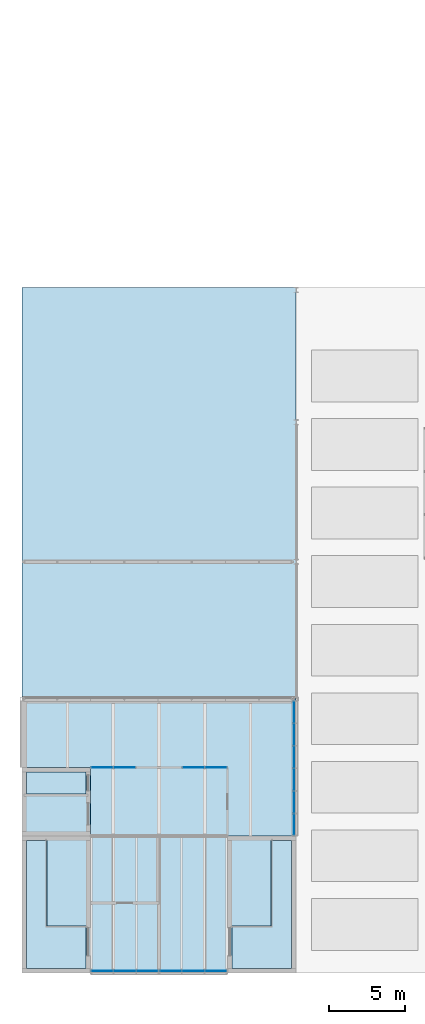
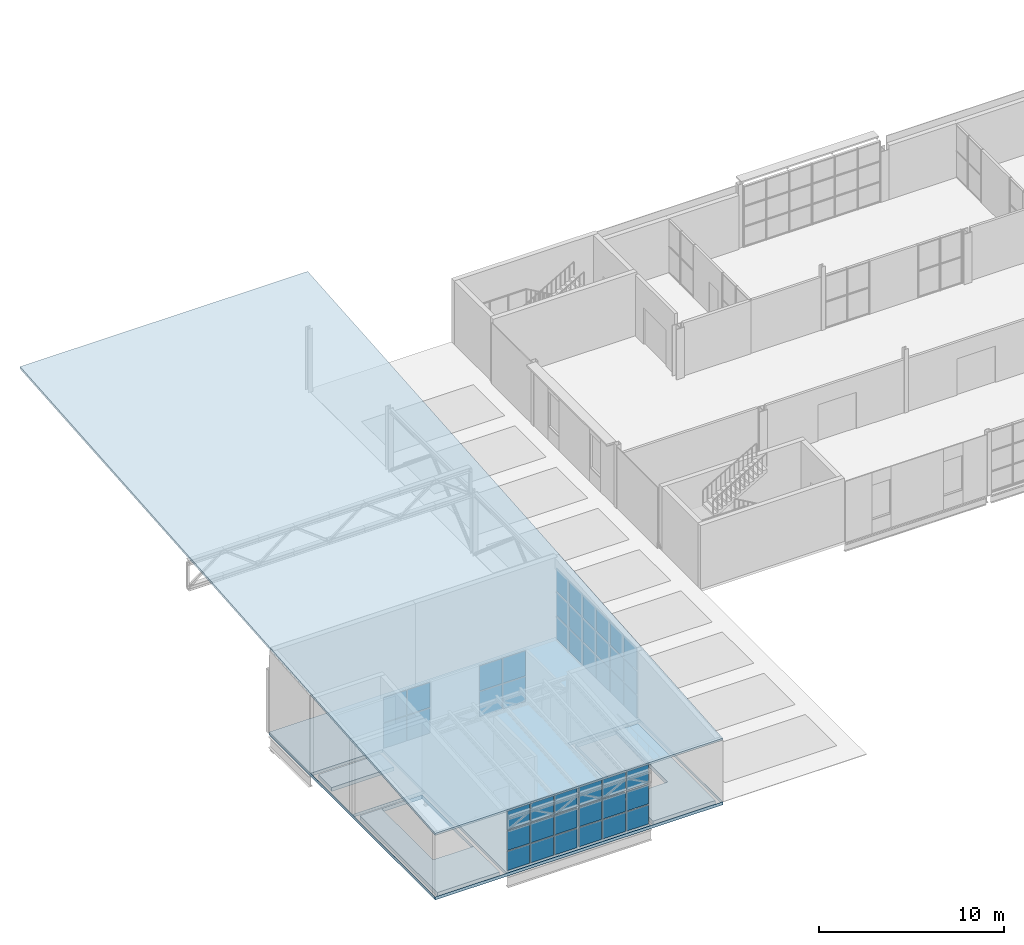
# One storey, part 34 of 61: 44 plates, 5 slabs, 5 elements without a shape of their own.
"""IFC4 building model written with IfcOpenShell, lengths in metres."""

import ifcopenshell
import ifcopenshell.guid

model = None  # the IFC model being written
_history = None  # IfcOwnerHistory: only IFC2X3 demands one
_inside = {}  # id of a spatial element -> (the spatial element, [elements in it])
_under = {}  # id of a project, library or spatial element -> (it, [spatial elements below it])
_declared = {}  # id of a project -> (the project, [libraries it declares])
_typed = {}  # id of a type object -> (the type object, [elements of that type])
_made_of = {}  # id of a material, layer set ... -> (it, [elements and type objects made of it])


def new_model(schema):
    """Start an empty IFC model of exactly this schema.

    Asked for "IFC4X3", IfcOpenShell would pick the latest addendum, in which some entities
    have other attributes; the version numbers below select the first issue.
    IFC2X3 requires an IfcOwnerHistory on every rooted entity: one is made here for all.
    """
    global model, _history
    if schema == "IFC4X3":
        model = ifcopenshell.file(schema_version=(4, 3, 0, 0))
    else:
        model = ifcopenshell.file(schema=schema)
    _inside.clear()
    _under.clear()
    _declared.clear()
    _typed.clear()
    _made_of.clear()
    _history = None
    if model.schema == "IFC2X3":
        org = make("IfcOrganization", Name="unknown")
        user = make(
            "IfcPersonAndOrganization",
            ThePerson=make("IfcPerson", FamilyName="unknown"),
            TheOrganization=org,
        )
        app = make(
            "IfcApplication",
            ApplicationDeveloper=org,
            Version="unknown",
            ApplicationFullName="unknown",
            ApplicationIdentifier="unknown",
        )
        _history = make(
            "IfcOwnerHistory",
            OwningUser=user,
            OwningApplication=app,
            ChangeAction="ADDED",
            CreationDate=0,
        )
    return model


def make(cls, **values):
    """One entity of the class cls with the attributes given. An attribute that is None is left unset."""
    return model.create_entity(
        cls, **{name: value for name, value in values.items() if value is not None}
    )


def rooted(cls, **values):
    """An entity with a GlobalId (a new one), such as an element, a storey or a relation."""
    return make(cls, GlobalId=ifcopenshell.guid.new(), OwnerHistory=_history, **values)


def si_unit(unit_type, name, prefix=None):
    """IfcSIUnit, for example si_unit("LENGTHUNIT", "METRE", prefix="MILLI")."""
    return make("IfcSIUnit", UnitType=unit_type, Prefix=prefix, Name=name)


def assignment(units):
    """IfcUnitAssignment: the units of a project."""
    return None if units is None else make("IfcUnitAssignment", Units=units)


def point(xyz):
    """IfcCartesianPoint."""
    return None if xyz is None else make("IfcCartesianPoint", Coordinates=xyz)


def direction(xyz):
    """IfcDirection."""
    return None if xyz is None else make("IfcDirection", DirectionRatios=xyz)


def frame(location, z_axis=None, x_axis=None):
    """IfcAxis2Placement3D, a coordinate frame: its origin and axes. An axis left out is left unset."""
    return make(
        "IfcAxis2Placement3D",
        Location=point(location),
        Axis=direction(z_axis),
        RefDirection=direction(x_axis),
    )


def frame_2d(location, x_axis=None):
    """IfcAxis2Placement2D, a coordinate frame in the plane: its origin and x axis."""
    return make(
        "IfcAxis2Placement2D", Location=point(location), RefDirection=direction(x_axis)
    )


def origin():
    """The frame at (0, 0, 0) with its axes left unset."""
    return frame((0.0, 0.0, 0.0))


def origin_2d():
    """The frame at (0, 0) in the plane with its x axis left unset."""
    return frame_2d((0.0, 0.0))


def place(relative_to, where):
    """IfcLocalPlacement: puts the frame where relative to a parent placement (None: the world)."""
    return make(
        "IfcLocalPlacement", PlacementRelTo=relative_to, RelativePlacement=where
    )


def context(
    kind, dimensions, precision=None, world=None, true_north=None, identifier=None
):
    """IfcGeometricRepresentationContext, for example the 3D "Model" context."""
    return make(
        "IfcGeometricRepresentationContext",
        ContextIdentifier=identifier,
        ContextType=kind,
        CoordinateSpaceDimension=dimensions,
        Precision=precision,
        WorldCoordinateSystem=world,
        TrueNorth=true_north,
    )


def subcontext(parent, identifier, kind, view, scale=None):
    """IfcGeometricRepresentationSubContext, for example "Body" below "Model"."""
    return make(
        "IfcGeometricRepresentationSubContext",
        ContextIdentifier=identifier,
        ContextType=kind,
        ParentContext=parent,
        TargetScale=scale,
        TargetView=view,
    )


def project(units=None, contexts=None):
    """IfcProject with its units and contexts."""
    return rooted(
        "IfcProject",
        Name="project",
        RepresentationContexts=contexts,
        UnitsInContext=assignment(units),
    )


def spatial(cls, under=None, at=None, **own):
    """A site, building, storey or space (cls), placed at a placement, below another one or the project."""
    s = rooted(cls, ObjectPlacement=at, **own)
    if under is not None:
        _under.setdefault(under.id(), (under, []))[1].append(s)
    return s


def polyline(points):
    """IfcPolyline through the points."""
    return make("IfcPolyline", Points=[point(p) for p in points])


def profile(cls, at=None, kind="AREA", **sizes):
    """A parametric profile (cls). Its sizes go by their IFC names, for example OverallWidth=200.0."""
    return make(cls, ProfileType=kind, Position=at, **sizes)


def rectangle(**sizes):
    """IfcRectangleProfileDef."""
    return profile("IfcRectangleProfileDef", **sizes)


def outline(outer, holes=None, kind="AREA"):
    """IfcArbitraryClosedProfileDef: a profile drawn as a closed curve; with holes, ...WithVoids."""
    if holes is None:
        return make("IfcArbitraryClosedProfileDef", ProfileType=kind, OuterCurve=outer)
    return make(
        "IfcArbitraryProfileDefWithVoids",
        ProfileType=kind,
        OuterCurve=outer,
        InnerCurves=holes,
    )


def extrude(swept, where, along, depth):
    """IfcExtrudedAreaSolid: the profile swept, set in the frame where, extruded along a direction by depth."""
    return make(
        "IfcExtrudedAreaSolid",
        SweptArea=swept,
        Position=where,
        ExtrudedDirection=direction(along),
        Depth=depth,
    )


def shape(context_of_items, identifier, shape_type, items):
    """IfcShapeRepresentation: the items that make up one representation, for example the "Body"."""
    return make(
        "IfcShapeRepresentation",
        ContextOfItems=context_of_items,
        RepresentationIdentifier=identifier,
        RepresentationType=shape_type,
        Items=items,
    )


def material(Name=None, Category=None):
    """IfcMaterial."""
    return make("IfcMaterial", Name=Name, Category=Category)


def layer(
    of_material, thickness, ventilated=None, Name=None, Category=None, Priority=None
):
    """IfcMaterialLayer: one layer of a wall or slab, of a material (None: an air gap)."""
    return make(
        "IfcMaterialLayer",
        Material=of_material,
        LayerThickness=thickness,
        IsVentilated=ventilated,
        Name=Name,
        Category=Category,
        Priority=Priority,
    )


def layer_set(layers, Name=None):
    """IfcMaterialLayerSet."""
    return make("IfcMaterialLayerSet", MaterialLayers=layers, LayerSetName=Name)


def made_of(thing, what):
    """Note that an element or type object is made of a material, layer set ...; save() writes the relation."""
    if what is not None:
        _made_of.setdefault(what.id(), (what, []))[1].append(thing)
    return thing


def type_object(cls, material=None, **own):
    """A type object (cls), such as IfcWallType, which elements share."""
    return made_of(rooted(cls, **own), material)


def element(
    cls,
    number,
    at=None,
    inside=None,
    cuts=None,
    type_object=None,
    material=None,
    context=None,
    identifier="Body",
    shape_type=None,
    held_by="IfcProductDefinitionShape",
    body=None,
    shapes=None,
    **own,
):
    """One element of the class cls, such as IfcWall. Its Tag is "e" and its number.

    at: its placement. inside: the storey or other place that contains it. cuts: it is an
    opening in that element (IfcRelVoidsElement). A single representation is given by context,
    identifier, shape_type and body (its items); several are given by shapes. held_by: the class
    of the entity that holds the representations. save() writes the other relations.
    """
    e = rooted(cls, Tag="e%d" % number, ObjectPlacement=at, **own)
    if body is not None:
        shapes = [shape(context, identifier, shape_type, body)]
    if shapes is not None:
        e.Representation = make(held_by, Representations=shapes)
    if inside is not None:
        _inside.setdefault(inside.id(), (inside, []))[1].append(e)
    if cuts is not None:
        rooted(
            "IfcRelVoidsElement", RelatingBuildingElement=cuts, RelatedOpeningElement=e
        )
    if type_object is not None:
        _typed.setdefault(type_object.id(), (type_object, []))[1].append(e)
    return made_of(e, material)


def aggregate(whole, parts):
    """IfcRelAggregates: a whole, such as a stair, and the parts it consists of."""
    return rooted("IfcRelAggregates", RelatingObject=whole, RelatedObjects=parts)


def save(model, path):
    """Write the relations noted so far, then the file.

    IfcRelAggregates (storeys below a building ...), IfcRelContainedInSpatialStructure (elements
    in a storey), IfcRelDefinesByType, IfcRelAssociatesMaterial and IfcRelDeclares: one each for
    every whole, place, type object, material and project.
    """
    for whole, parts in _under.values():
        aggregate(whole, parts)
    for where, things in _inside.values():
        rooted(
            "IfcRelContainedInSpatialStructure",
            RelatedElements=things,
            RelatingStructure=where,
        )
    for kind, things in _typed.values():
        rooted("IfcRelDefinesByType", RelatedObjects=things, RelatingType=kind)
    for what, things in _made_of.values():
        rooted("IfcRelAssociatesMaterial", RelatedObjects=things, RelatingMaterial=what)
    for by, libraries in _declared.values():
        rooted("IfcRelDeclares", RelatingContext=by, RelatedDefinitions=libraries)
    model.write(path)


model = new_model("IFC4")

# Units and contexts
model_context = context("Model", 3, precision=1e-05, world=origin(), true_north=direction((0.0, 1.0)))
body_context = subcontext(model_context, "Body", "Model", "MODEL_VIEW")
ifc_project = project(units=[si_unit("LENGTHUNIT", "METRE"), si_unit("AREAUNIT", "SQUARE_METRE"), si_unit("VOLUMEUNIT", "CUBIC_METRE"), si_unit("PLANEANGLEUNIT", "RADIAN"), si_unit("MASSUNIT", "GRAM", prefix="KILO")], contexts=[model_context])

# Site, building, storey
site_placement = place(None, origin())
site = spatial("IfcSite", under=ifc_project, at=site_placement, CompositionType="ELEMENT")
building_placement = place(site_placement, origin())
building = spatial("IfcBuilding", under=site, at=building_placement, Name="Halyard Row Museum", CompositionType="ELEMENT")
storey_placement = place(building_placement, frame((0.0, 0.0, 9.199951171875)))
storey = spatial("IfcBuildingStorey", under=building, at=storey_placement, Name="L02", CompositionType="ELEMENT", Elevation=9.199951171875)

# Slabs
ifc_material_1 = material(Name="Standing-seam roofing on insulated timber deck", Category="wood")
ifc_layer_1 = layer(ifc_material_1, 0.14990234375)
ifc_layer_set_1 = layer_set([ifc_layer_1], Name="Standing-seam roofing on insulated timber deck")
slab_type_1 = type_object("IfcSlabType", Name="Auditorium roof slab 150 standing seam", PredefinedType="ROOF", material=ifc_layer_set_1)
slab_1_placement = place(storey_placement, frame((0.0, 0.0, 4.199951171875), z_axis=(0.0, -0.079747371753, 0.996815106576), x_axis=(1.0, 0.0, 0.0)))
element("IfcSlab", 1, at=slab_1_placement, inside=storey, type_object=slab_type_1, Name="Auditorium mono-pitch roof slab", PredefinedType="ROOF", context=body_context, shape_type="SweptSolid", body=[
    extrude(outline(polyline([(0.0, 0.0), (18.0, 0.0), (18.0, 45.14377812206835), (0.0, 45.14377812206835), (0.0, 0.0)])), origin(), (0.0, 0.0, -1.0), 0.14990234375),
])
ifc_material_2 = material(Name="Concrete 40 MPa", Category="concrete")
ifc_layer_2 = layer(ifc_material_2, 0.199951171875)
ifc_layer_set_2 = layer_set([ifc_layer_2], Name="Concrete 40 MPa")
slab_type_2 = type_object("IfcSlabType", Name="Composite floor slab plant", PredefinedType="FLOOR", material=ifc_layer_set_2)
slab_2_placement = place(storey_placement, frame((0.0, 0.0, -0.199951171875)))
element("IfcSlab", 2, at=slab_2_placement, inside=storey, type_object=slab_type_2, Name="Floor slab L02-01", PredefinedType="FLOOR", context=body_context, shape_type="SweptSolid", body=[
    extrude(outline(polyline([(0.0, 18.0), (0.0, 0.0), (18.0, 0.0), (18.0, 18.0), (0.0, 18.0)]), holes=[polyline([(4.4951171875, 8.9951171875), (4.4951171875, 0.0048828125), (0.0048828125, 0.0048828125), (0.0048828125, 8.9951171875), (4.4951171875, 8.9951171875)]), polyline([(17.9951171875, 0.0048828125), (13.5048828125, 0.0048828125), (13.5048828125, 8.9951171875), (17.9951171875, 8.9951171875), (17.9951171875, 0.0048828125)]), polyline([(4.4951171875, 9.0048828125), (0.0048828125, 9.0048828125), (0.0048828125, 13.4951171875), (4.4951171875, 13.4951171875), (4.4951171875, 9.0048828125)])]), origin(), (0.0, 0.0, 1.0), 0.199951171875),
])
ifc_material_3 = material(Name="Concrete 40 MPa", Category="concrete")
ifc_layer_3 = layer(ifc_material_3, 0.25)
ifc_layer_set_3 = layer_set([ifc_layer_3], Name="Concrete 40 MPa")
slab_type_3 = type_object("IfcSlabType", Name="Core floor slab 250", PredefinedType="FLOOR", material=ifc_layer_set_3)
slab_3_placement = place(storey_placement, frame((0.0, 0.0, -0.25)))
element("IfcSlab", 3, at=slab_3_placement, inside=storey, type_object=slab_type_3, Name="Core floor K3E L02", PredefinedType="FLOOR", context=body_context, shape_type="SweptSolid", body=[
    extrude(outline(polyline([(17.699951171875, 8.699951171875), (13.800048828125, 8.699951171875), (13.800048828125, 0.300048828125), (17.699951171875, 0.300048828125), (17.699951171875, 8.699951171875)]), holes=[polyline([(16.346923828125, 8.697021484375), (16.346923828125, 3.10302734375), (13.802978515625, 3.10302734375), (13.802978515625, 8.697021484375), (16.346923828125, 8.697021484375)])]), origin(), (0.0, 0.0, 1.0), 0.25),
])
slab_4_placement = place(storey_placement, frame((0.0, 0.0, -0.25)))
element("IfcSlab", 4, at=slab_4_placement, inside=storey, type_object=slab_type_3, Name="Core floor K3S L02", PredefinedType="FLOOR", context=body_context, shape_type="SweptSolid", body=[
    extrude(outline(polyline([(4.199951171875, 8.699951171875), (0.300048828125, 8.699951171875), (0.300048828125, 0.300048828125), (4.199951171875, 0.300048828125), (4.199951171875, 8.699951171875)]), holes=[polyline([(1.653076171875, 8.697021484375), (4.197021484375, 8.697021484375), (4.197021484375, 3.10302734375), (1.653076171875, 3.10302734375), (1.653076171875, 8.697021484375)])]), origin(), (0.0, 0.0, 1.0), 0.25),
])
slab_5_placement = place(storey_placement, frame((0.0, 0.0, -0.25)))
element("IfcSlab", 5, at=slab_5_placement, inside=storey, type_object=slab_type_3, Name="Core floor K6 L02", PredefinedType="FLOOR", context=body_context, shape_type="SweptSolid", body=[
    extrude(outline(polyline([(4.199951171875, 13.199951171875), (0.300048828125, 13.199951171875), (0.300048828125, 11.75), (4.199951171875, 11.75), (4.199951171875, 13.199951171875)])), origin(), (0.0, 0.0, 1.0), 0.25),
])

# Curtain wall, plates
ifc_material_4 = material(Name="Acoustic laminated double glazed unit", Category="glass")
ifc_layer_4 = layer(ifc_material_4, 0.239990234375)
ifc_layer_set_4 = layer_set([ifc_layer_4], Name="Acoustic laminated double glazed unit")
curtain_wall_type_1 = type_object("IfcCurtainWallType", Name="Curtain wall foyer 240 deep", PredefinedType="NOTDEFINED", material=ifc_layer_set_4)
curtain_wall_1_placement = place(storey_placement, origin())
curtain_wall_1 = element("IfcCurtainWall", 6, at=curtain_wall_1_placement, inside=storey, type_object=curtain_wall_type_1, Name="Curtain wall CW041", PredefinedType="NOTDEFINED")
ifc_material_5 = material(Name="Acoustic laminated double glazed unit", Category="glass")
ifc_layer_5 = layer(ifc_material_5, 0.0439453125)
ifc_layer_set_5 = layer_set([ifc_layer_5], Name="Acoustic laminated double glazed unit")
plate_type_1 = type_object("IfcPlateType", Name="Curtain wall glazed panel CP4 44", PredefinedType="CURTAIN_PANEL", material=ifc_layer_set_5)
plate_1_placement = place(storey_placement, frame((5.267578125, 0.139892578125, 0.06982421875), z_axis=(0.0, 0.0, 1.0), x_axis=(1.0, 0.0, 0.0)))
plate_1 = element("IfcPlate", 7, at=plate_1_placement, type_object=plate_type_1, Name="CW041 panel 1.1", PredefinedType="CURTAIN_PANEL", context=body_context, shape_type="SweptSolid", body=[
    extrude(rectangle(XDim=1.39501953125, YDim=0.0439453125, at=origin_2d()), origin(), (0.0, 0.0, 1.0), 1.258056640625),
])
plate_2_placement = place(storey_placement, frame((5.267578125, 0.139892578125, 1.398193359375), z_axis=(0.0, 0.0, 1.0), x_axis=(1.0, 0.0, 0.0)))
plate_2 = element("IfcPlate", 8, at=plate_2_placement, type_object=plate_type_1, Name="CW041 panel 1.2", PredefinedType="CURTAIN_PANEL", context=body_context, shape_type="SweptSolid", body=[
    extrude(rectangle(XDim=1.39501953125, YDim=0.0439453125, at=origin_2d()), origin(), (0.0, 0.0, 1.0), 1.29296875),
])
plate_3_placement = place(storey_placement, frame((5.267578125, 0.139892578125, 2.76123046875), z_axis=(0.0, 0.0, 1.0), x_axis=(1.0, 0.0, 0.0)))
plate_3 = element("IfcPlate", 9, at=plate_3_placement, type_object=plate_type_1, Name="CW041 panel 1.3", PredefinedType="CURTAIN_PANEL", context=body_context, shape_type="SweptSolid", body=[
    extrude(rectangle(XDim=1.39501953125, YDim=0.0439453125, at=origin_2d()), origin(), (0.0, 0.0, 1.0), 1.258056640625),
])
plate_4_placement = place(storey_placement, frame((6.75, 0.139892578125, 0.06982421875), z_axis=(0.0, 0.0, 1.0), x_axis=(1.0, 0.0, 0.0)))
plate_4 = element("IfcPlate", 10, at=plate_4_placement, type_object=plate_type_1, Name="CW041 panel 2.1", PredefinedType="CURTAIN_PANEL", context=body_context, shape_type="SweptSolid", body=[
    extrude(rectangle(XDim=1.429931640625, YDim=0.0439453125, at=origin_2d()), origin(), (0.0, 0.0, 1.0), 1.258056640625),
])
plate_5_placement = place(storey_placement, frame((6.75, 0.139892578125, 1.398193359375), z_axis=(0.0, 0.0, 1.0), x_axis=(1.0, 0.0, 0.0)))
plate_5 = element("IfcPlate", 11, at=plate_5_placement, type_object=plate_type_1, Name="CW041 panel 2.2", PredefinedType="CURTAIN_PANEL", context=body_context, shape_type="SweptSolid", body=[
    extrude(rectangle(XDim=1.429931640625, YDim=0.0439453125, at=origin_2d()), origin(), (0.0, 0.0, 1.0), 1.29296875),
])
plate_6_placement = place(storey_placement, frame((6.75, 0.139892578125, 2.76123046875), z_axis=(0.0, 0.0, 1.0), x_axis=(1.0, 0.0, 0.0)))
plate_6 = element("IfcPlate", 12, at=plate_6_placement, type_object=plate_type_1, Name="CW041 panel 2.3", PredefinedType="CURTAIN_PANEL", context=body_context, shape_type="SweptSolid", body=[
    extrude(rectangle(XDim=1.429931640625, YDim=0.0439453125, at=origin_2d()), origin(), (0.0, 0.0, 1.0), 1.258056640625),
])
plate_7_placement = place(storey_placement, frame((8.232421875, 0.139892578125, 0.06982421875), z_axis=(0.0, 0.0, 1.0), x_axis=(1.0, 0.0, 0.0)))
plate_7 = element("IfcPlate", 13, at=plate_7_placement, type_object=plate_type_1, Name="CW041 panel 3.1", PredefinedType="CURTAIN_PANEL", context=body_context, shape_type="SweptSolid", body=[
    extrude(rectangle(XDim=1.39501953125, YDim=0.0439453125, at=origin_2d()), origin(), (0.0, 0.0, 1.0), 1.258056640625),
])
plate_8_placement = place(storey_placement, frame((8.232421875, 0.139892578125, 1.398193359375), z_axis=(0.0, 0.0, 1.0), x_axis=(1.0, 0.0, 0.0)))
plate_8 = element("IfcPlate", 14, at=plate_8_placement, type_object=plate_type_1, Name="CW041 panel 3.2", PredefinedType="CURTAIN_PANEL", context=body_context, shape_type="SweptSolid", body=[
    extrude(rectangle(XDim=1.39501953125, YDim=0.0439453125, at=origin_2d()), origin(), (0.0, 0.0, 1.0), 1.29296875),
])
plate_9_placement = place(storey_placement, frame((8.232421875, 0.139892578125, 2.76123046875), z_axis=(0.0, 0.0, 1.0), x_axis=(1.0, 0.0, 0.0)))
plate_9 = element("IfcPlate", 15, at=plate_9_placement, type_object=plate_type_1, Name="CW041 panel 3.3", PredefinedType="CURTAIN_PANEL", context=body_context, shape_type="SweptSolid", body=[
    extrude(rectangle(XDim=1.39501953125, YDim=0.0439453125, at=origin_2d()), origin(), (0.0, 0.0, 1.0), 1.258056640625),
])
aggregate(curtain_wall_1, [plate_1, plate_2, plate_3, plate_4, plate_5, plate_6, plate_7, plate_8, plate_9])

curtain_wall_2_placement = place(storey_placement, origin())
curtain_wall_2 = element("IfcCurtainWall", 16, at=curtain_wall_2_placement, inside=storey, type_object=curtain_wall_type_1, Name="Curtain wall CW042", PredefinedType="NOTDEFINED")
plate_10_placement = place(storey_placement, frame((9.767578125, 0.139892578125, 0.06982421875), z_axis=(0.0, 0.0, 1.0), x_axis=(1.0, 0.0, 0.0)))
plate_10 = element("IfcPlate", 17, at=plate_10_placement, type_object=plate_type_1, Name="CW042 panel 1.1", PredefinedType="CURTAIN_PANEL", context=body_context, shape_type="SweptSolid", body=[
    extrude(rectangle(XDim=1.39501953125, YDim=0.0439453125, at=origin_2d()), origin(), (0.0, 0.0, 1.0), 1.258056640625),
])
plate_11_placement = place(storey_placement, frame((9.767578125, 0.139892578125, 1.398193359375), z_axis=(0.0, 0.0, 1.0), x_axis=(1.0, 0.0, 0.0)))
plate_11 = element("IfcPlate", 18, at=plate_11_placement, type_object=plate_type_1, Name="CW042 panel 1.2", PredefinedType="CURTAIN_PANEL", context=body_context, shape_type="SweptSolid", body=[
    extrude(rectangle(XDim=1.39501953125, YDim=0.0439453125, at=origin_2d()), origin(), (0.0, 0.0, 1.0), 1.29296875),
])
plate_12_placement = place(storey_placement, frame((9.767578125, 0.139892578125, 2.76123046875), z_axis=(0.0, 0.0, 1.0), x_axis=(1.0, 0.0, 0.0)))
plate_12 = element("IfcPlate", 19, at=plate_12_placement, type_object=plate_type_1, Name="CW042 panel 1.3", PredefinedType="CURTAIN_PANEL", context=body_context, shape_type="SweptSolid", body=[
    extrude(rectangle(XDim=1.39501953125, YDim=0.0439453125, at=origin_2d()), origin(), (0.0, 0.0, 1.0), 1.258056640625),
])
plate_13_placement = place(storey_placement, frame((11.25, 0.139892578125, 0.06982421875), z_axis=(0.0, 0.0, 1.0), x_axis=(1.0, 0.0, 0.0)))
plate_13 = element("IfcPlate", 20, at=plate_13_placement, type_object=plate_type_1, Name="CW042 panel 2.1", PredefinedType="CURTAIN_PANEL", context=body_context, shape_type="SweptSolid", body=[
    extrude(rectangle(XDim=1.429931640625, YDim=0.0439453125, at=origin_2d()), origin(), (0.0, 0.0, 1.0), 1.258056640625),
])
plate_14_placement = place(storey_placement, frame((11.25, 0.139892578125, 1.398193359375), z_axis=(0.0, 0.0, 1.0), x_axis=(1.0, 0.0, 0.0)))
plate_14 = element("IfcPlate", 21, at=plate_14_placement, type_object=plate_type_1, Name="CW042 panel 2.2", PredefinedType="CURTAIN_PANEL", context=body_context, shape_type="SweptSolid", body=[
    extrude(rectangle(XDim=1.429931640625, YDim=0.0439453125, at=origin_2d()), origin(), (0.0, 0.0, 1.0), 1.29296875),
])
plate_15_placement = place(storey_placement, frame((11.25, 0.139892578125, 2.76123046875), z_axis=(0.0, 0.0, 1.0), x_axis=(1.0, 0.0, 0.0)))
plate_15 = element("IfcPlate", 22, at=plate_15_placement, type_object=plate_type_1, Name="CW042 panel 2.3", PredefinedType="CURTAIN_PANEL", context=body_context, shape_type="SweptSolid", body=[
    extrude(rectangle(XDim=1.429931640625, YDim=0.0439453125, at=origin_2d()), origin(), (0.0, 0.0, 1.0), 1.258056640625),
])
plate_16_placement = place(storey_placement, frame((12.732421875, 0.139892578125, 0.06982421875), z_axis=(0.0, 0.0, 1.0), x_axis=(1.0, 0.0, 0.0)))
plate_16 = element("IfcPlate", 23, at=plate_16_placement, type_object=plate_type_1, Name="CW042 panel 3.1", PredefinedType="CURTAIN_PANEL", context=body_context, shape_type="SweptSolid", body=[
    extrude(rectangle(XDim=1.39501953125, YDim=0.0439453125, at=origin_2d()), origin(), (0.0, 0.0, 1.0), 1.258056640625),
])
plate_17_placement = place(storey_placement, frame((12.732421875, 0.139892578125, 1.398193359375), z_axis=(0.0, 0.0, 1.0), x_axis=(1.0, 0.0, 0.0)))
plate_17 = element("IfcPlate", 24, at=plate_17_placement, type_object=plate_type_1, Name="CW042 panel 3.2", PredefinedType="CURTAIN_PANEL", context=body_context, shape_type="SweptSolid", body=[
    extrude(rectangle(XDim=1.39501953125, YDim=0.0439453125, at=origin_2d()), origin(), (0.0, 0.0, 1.0), 1.29296875),
])
plate_18_placement = place(storey_placement, frame((12.732421875, 0.139892578125, 2.76123046875), z_axis=(0.0, 0.0, 1.0), x_axis=(1.0, 0.0, 0.0)))
plate_18 = element("IfcPlate", 25, at=plate_18_placement, type_object=plate_type_1, Name="CW042 panel 3.3", PredefinedType="CURTAIN_PANEL", context=body_context, shape_type="SweptSolid", body=[
    extrude(rectangle(XDim=1.39501953125, YDim=0.0439453125, at=origin_2d()), origin(), (0.0, 0.0, 1.0), 1.258056640625),
])
aggregate(curtain_wall_2, [plate_10, plate_11, plate_12, plate_13, plate_14, plate_15, plate_16, plate_17, plate_18])

curtain_wall_3_placement = place(storey_placement, origin())
curtain_wall_3 = element("IfcCurtainWall", 26, at=curtain_wall_3_placement, inside=storey, type_object=curtain_wall_type_1, Name="Curtain wall CW043", PredefinedType="NOTDEFINED")
plate_19_placement = place(storey_placement, frame((17.860107421875, 9.757080078125, 0.070068359375), z_axis=(0.0, 0.0, 1.0), x_axis=(0.0, 1.0, 0.0)))
plate_19 = element("IfcPlate", 27, at=plate_19_placement, type_object=plate_type_1, Name="CW043 panel 1.1", PredefinedType="CURTAIN_PANEL", context=body_context, shape_type="SweptSolid", body=[
    extrude(rectangle(XDim=1.374267578125, YDim=0.0439453125, at=origin_2d()), origin(), (0.0, 0.0, 1.0), 1.4951171875),
])
plate_20_placement = place(storey_placement, frame((17.860107421875, 9.757080078125, 1.63525390625), z_axis=(0.0, 0.0, 1.0), x_axis=(0.0, 1.0, 0.0)))
plate_20 = element("IfcPlate", 28, at=plate_20_placement, type_object=plate_type_1, Name="CW043 panel 1.2", PredefinedType="CURTAIN_PANEL", context=body_context, shape_type="SweptSolid", body=[
    extrude(rectangle(XDim=1.374267578125, YDim=0.0439453125, at=origin_2d()), origin(), (0.0, 0.0, 1.0), 1.530029296875),
])
plate_21_placement = place(storey_placement, frame((17.860107421875, 9.757080078125, 3.235107421875), z_axis=(0.0, 0.0, 1.0), x_axis=(0.0, 1.0, 0.0)))
plate_21 = element("IfcPlate", 29, at=plate_21_placement, type_object=plate_type_1, Name="CW043 panel 1.3", PredefinedType="CURTAIN_PANEL", context=body_context, shape_type="SweptSolid", body=[
    extrude(rectangle(XDim=1.374267578125, YDim=0.0439453125, at=origin_2d()), origin(), (0.0, 0.0, 1.0), 1.4951171875),
])
plate_22_placement = place(storey_placement, frame((17.860107421875, 11.21875, 0.070068359375), z_axis=(0.0, 0.0, 1.0), x_axis=(0.0, 1.0, 0.0)))
plate_22 = element("IfcPlate", 30, at=plate_22_placement, type_object=plate_type_1, Name="CW043 panel 2.1", PredefinedType="CURTAIN_PANEL", context=body_context, shape_type="SweptSolid", body=[
    extrude(rectangle(XDim=1.4091796875, YDim=0.0439453125, at=origin_2d()), origin(), (0.0, 0.0, 1.0), 1.4951171875),
])
plate_23_placement = place(storey_placement, frame((17.860107421875, 11.21875, 1.63525390625), z_axis=(0.0, 0.0, 1.0), x_axis=(0.0, 1.0, 0.0)))
plate_23 = element("IfcPlate", 31, at=plate_23_placement, type_object=plate_type_1, Name="CW043 panel 2.2", PredefinedType="CURTAIN_PANEL", context=body_context, shape_type="SweptSolid", body=[
    extrude(rectangle(XDim=1.4091796875, YDim=0.0439453125, at=origin_2d()), origin(), (0.0, 0.0, 1.0), 1.530029296875),
])
plate_24_placement = place(storey_placement, frame((17.860107421875, 11.21875, 3.235107421875), z_axis=(0.0, 0.0, 1.0), x_axis=(0.0, 1.0, 0.0)))
plate_24 = element("IfcPlate", 32, at=plate_24_placement, type_object=plate_type_1, Name="CW043 panel 2.3", PredefinedType="CURTAIN_PANEL", context=body_context, shape_type="SweptSolid", body=[
    extrude(rectangle(XDim=1.4091796875, YDim=0.0439453125, at=origin_2d()), origin(), (0.0, 0.0, 1.0), 1.4951171875),
])
plate_25_placement = place(storey_placement, frame((17.860107421875, 12.697998046875, 0.070068359375), z_axis=(0.0, 0.0, 1.0), x_axis=(0.0, 1.0, 0.0)))
plate_25 = element("IfcPlate", 33, at=plate_25_placement, type_object=plate_type_1, Name="CW043 panel 3.1", PredefinedType="CURTAIN_PANEL", context=body_context, shape_type="SweptSolid", body=[
    extrude(rectangle(XDim=1.4091796875, YDim=0.0439453125, at=origin_2d()), origin(), (0.0, 0.0, 1.0), 1.4951171875),
])
plate_26_placement = place(storey_placement, frame((17.860107421875, 12.697998046875, 1.63525390625), z_axis=(0.0, 0.0, 1.0), x_axis=(0.0, 1.0, 0.0)))
plate_26 = element("IfcPlate", 34, at=plate_26_placement, type_object=plate_type_1, Name="CW043 panel 3.2", PredefinedType="CURTAIN_PANEL", context=body_context, shape_type="SweptSolid", body=[
    extrude(rectangle(XDim=1.4091796875, YDim=0.0439453125, at=origin_2d()), origin(), (0.0, 0.0, 1.0), 1.530029296875),
])
plate_27_placement = place(storey_placement, frame((17.860107421875, 12.697998046875, 3.235107421875), z_axis=(0.0, 0.0, 1.0), x_axis=(0.0, 1.0, 0.0)))
plate_27 = element("IfcPlate", 35, at=plate_27_placement, type_object=plate_type_1, Name="CW043 panel 3.3", PredefinedType="CURTAIN_PANEL", context=body_context, shape_type="SweptSolid", body=[
    extrude(rectangle(XDim=1.4091796875, YDim=0.0439453125, at=origin_2d()), origin(), (0.0, 0.0, 1.0), 1.4951171875),
])
plate_28_placement = place(storey_placement, frame((17.860107421875, 14.177001953125, 0.070068359375), z_axis=(0.0, 0.0, 1.0), x_axis=(0.0, 1.0, 0.0)))
plate_28 = element("IfcPlate", 36, at=plate_28_placement, type_object=plate_type_1, Name="CW043 panel 4.1", PredefinedType="CURTAIN_PANEL", context=body_context, shape_type="SweptSolid", body=[
    extrude(rectangle(XDim=1.4091796875, YDim=0.0439453125, at=origin_2d()), origin(), (0.0, 0.0, 1.0), 1.4951171875),
])
plate_29_placement = place(storey_placement, frame((17.860107421875, 14.177001953125, 1.63525390625), z_axis=(0.0, 0.0, 1.0), x_axis=(0.0, 1.0, 0.0)))
plate_29 = element("IfcPlate", 37, at=plate_29_placement, type_object=plate_type_1, Name="CW043 panel 4.2", PredefinedType="CURTAIN_PANEL", context=body_context, shape_type="SweptSolid", body=[
    extrude(rectangle(XDim=1.4091796875, YDim=0.0439453125, at=origin_2d()), origin(), (0.0, 0.0, 1.0), 1.530029296875),
])
plate_30_placement = place(storey_placement, frame((17.860107421875, 14.177001953125, 3.235107421875), z_axis=(0.0, 0.0, 1.0), x_axis=(0.0, 1.0, 0.0)))
plate_30 = element("IfcPlate", 38, at=plate_30_placement, type_object=plate_type_1, Name="CW043 panel 4.3", PredefinedType="CURTAIN_PANEL", context=body_context, shape_type="SweptSolid", body=[
    extrude(rectangle(XDim=1.4091796875, YDim=0.0439453125, at=origin_2d()), origin(), (0.0, 0.0, 1.0), 1.4951171875),
])
plate_31_placement = place(storey_placement, frame((17.860107421875, 15.65625, 0.070068359375), z_axis=(0.0, 0.0, 1.0), x_axis=(0.0, 1.0, 0.0)))
plate_31 = element("IfcPlate", 39, at=plate_31_placement, type_object=plate_type_1, Name="CW043 panel 5.1", PredefinedType="CURTAIN_PANEL", context=body_context, shape_type="SweptSolid", body=[
    extrude(rectangle(XDim=1.4091796875, YDim=0.0439453125, at=origin_2d()), origin(), (0.0, 0.0, 1.0), 1.4951171875),
])
plate_32_placement = place(storey_placement, frame((17.860107421875, 15.65625, 1.63525390625), z_axis=(0.0, 0.0, 1.0), x_axis=(0.0, 1.0, 0.0)))
plate_32 = element("IfcPlate", 40, at=plate_32_placement, type_object=plate_type_1, Name="CW043 panel 5.2", PredefinedType="CURTAIN_PANEL", context=body_context, shape_type="SweptSolid", body=[
    extrude(rectangle(XDim=1.4091796875, YDim=0.0439453125, at=origin_2d()), origin(), (0.0, 0.0, 1.0), 1.530029296875),
])
plate_33_placement = place(storey_placement, frame((17.860107421875, 15.65625, 3.235107421875), z_axis=(0.0, 0.0, 1.0), x_axis=(0.0, 1.0, 0.0)))
plate_33 = element("IfcPlate", 41, at=plate_33_placement, type_object=plate_type_1, Name="CW043 panel 5.3", PredefinedType="CURTAIN_PANEL", context=body_context, shape_type="SweptSolid", body=[
    extrude(rectangle(XDim=1.4091796875, YDim=0.0439453125, at=origin_2d()), origin(), (0.0, 0.0, 1.0), 1.4951171875),
])
plate_34_placement = place(storey_placement, frame((17.860107421875, 17.117919921875, 0.070068359375), z_axis=(0.0, 0.0, 1.0), x_axis=(0.0, 1.0, 0.0)))
plate_34 = element("IfcPlate", 42, at=plate_34_placement, type_object=plate_type_1, Name="CW043 panel 6.1", PredefinedType="CURTAIN_PANEL", context=body_context, shape_type="SweptSolid", body=[
    extrude(rectangle(XDim=1.374267578125, YDim=0.0439453125, at=origin_2d()), origin(), (0.0, 0.0, 1.0), 1.4951171875),
])
plate_35_placement = place(storey_placement, frame((17.860107421875, 17.117919921875, 1.63525390625), z_axis=(0.0, 0.0, 1.0), x_axis=(0.0, 1.0, 0.0)))
plate_35 = element("IfcPlate", 43, at=plate_35_placement, type_object=plate_type_1, Name="CW043 panel 6.2", PredefinedType="CURTAIN_PANEL", context=body_context, shape_type="SweptSolid", body=[
    extrude(rectangle(XDim=1.374267578125, YDim=0.0439453125, at=origin_2d()), origin(), (0.0, 0.0, 1.0), 1.530029296875),
])
plate_36_placement = place(storey_placement, frame((17.860107421875, 17.117919921875, 3.235107421875), z_axis=(0.0, 0.0, 1.0), x_axis=(0.0, 1.0, 0.0)))
plate_36 = element("IfcPlate", 44, at=plate_36_placement, type_object=plate_type_1, Name="CW043 panel 6.3", PredefinedType="CURTAIN_PANEL", context=body_context, shape_type="SweptSolid", body=[
    extrude(rectangle(XDim=1.374267578125, YDim=0.0439453125, at=origin_2d()), origin(), (0.0, 0.0, 1.0), 1.4951171875),
])
aggregate(curtain_wall_3, [plate_19, plate_20, plate_21, plate_22, plate_23, plate_24, plate_25, plate_26, plate_27, plate_28, plate_29, plate_30, plate_31, plate_32, plate_33, plate_34, plate_35, plate_36])

ifc_material_6 = material(Name="Fire-resisting laminated glazing", Category="glass")
ifc_layer_6 = layer(ifc_material_6, 0.159912109375)
ifc_layer_set_6 = layer_set([ifc_layer_6], Name="Fire-resisting laminated glazing")
curtain_wall_type_2 = type_object("IfcCurtainWallType", Name="Curtain wall atrium screen 160 deep", PredefinedType="NOTDEFINED", material=ifc_layer_set_6)
curtain_wall_4_placement = place(storey_placement, origin())
curtain_wall_4 = element("IfcCurtainWall", 45, at=curtain_wall_4_placement, inside=storey, type_object=curtain_wall_type_2, Name="Curtain wall CW160", PredefinedType="NOTDEFINED")
ifc_material_7 = material(Name="Fire-resisting laminated glazing", Category="glass")
ifc_layer_7 = layer(ifc_material_7, 0.0400390625)
ifc_layer_set_7 = layer_set([ifc_layer_7], Name="Fire-resisting laminated glazing")
plate_type_2 = type_object("IfcPlateType", Name="Curtain wall glazed panel CP5 40", PredefinedType="CURTAIN_PANEL", material=ifc_layer_set_7)
plate_37_placement = place(storey_placement, frame((5.264892578125, 13.5, 0.06005859375), z_axis=(0.0, 0.0, 1.0), x_axis=(1.0, 0.0, 0.0)))
plate_37 = element("IfcPlate", 46, at=plate_37_placement, type_object=plate_type_2, Name="CW160 panel 1.1", PredefinedType="CURTAIN_PANEL", context=body_context, shape_type="SweptSolid", body=[
    extrude(rectangle(XDim=1.409912109375, YDim=0.0400390625, at=origin_2d()), origin(), (0.0, 0.0, 1.0), 1.645263671875),
])
plate_38_placement = place(storey_placement, frame((5.264892578125, 13.5, 1.76513671875), z_axis=(0.0, 0.0, 1.0), x_axis=(1.0, 0.0, 0.0)))
plate_38 = element("IfcPlate", 47, at=plate_38_placement, type_object=plate_type_2, Name="CW160 panel 1.2", PredefinedType="CURTAIN_PANEL", context=body_context, shape_type="SweptSolid", body=[
    extrude(rectangle(XDim=1.409912109375, YDim=0.0400390625, at=origin_2d()), origin(), (0.0, 0.0, 1.0), 1.645263671875),
])
plate_39_placement = place(storey_placement, frame((6.735107421875, 13.5, 0.06005859375), z_axis=(0.0, 0.0, 1.0), x_axis=(1.0, 0.0, 0.0)))
plate_39 = element("IfcPlate", 48, at=plate_39_placement, type_object=plate_type_2, Name="CW160 panel 2.1", PredefinedType="CURTAIN_PANEL", context=body_context, shape_type="SweptSolid", body=[
    extrude(rectangle(XDim=1.409912109375, YDim=0.0400390625, at=origin_2d()), origin(), (0.0, 0.0, 1.0), 1.645263671875),
])
plate_40_placement = place(storey_placement, frame((6.735107421875, 13.5, 1.76513671875), z_axis=(0.0, 0.0, 1.0), x_axis=(1.0, 0.0, 0.0)))
plate_40 = element("IfcPlate", 49, at=plate_40_placement, type_object=plate_type_2, Name="CW160 panel 2.2", PredefinedType="CURTAIN_PANEL", context=body_context, shape_type="SweptSolid", body=[
    extrude(rectangle(XDim=1.409912109375, YDim=0.0400390625, at=origin_2d()), origin(), (0.0, 0.0, 1.0), 1.645263671875),
])
aggregate(curtain_wall_4, [plate_37, plate_38, plate_39, plate_40])

curtain_wall_5_placement = place(storey_placement, origin())
curtain_wall_5 = element("IfcCurtainWall", 50, at=curtain_wall_5_placement, inside=storey, type_object=curtain_wall_type_2, Name="Curtain wall CW161", PredefinedType="NOTDEFINED")
plate_41_placement = place(storey_placement, frame((11.264892578125, 13.5, 0.06005859375), z_axis=(0.0, 0.0, 1.0), x_axis=(1.0, 0.0, 0.0)))
plate_41 = element("IfcPlate", 51, at=plate_41_placement, type_object=plate_type_2, Name="CW161 panel 1.1", PredefinedType="CURTAIN_PANEL", context=body_context, shape_type="SweptSolid", body=[
    extrude(rectangle(XDim=1.409912109375, YDim=0.0400390625, at=origin_2d()), origin(), (0.0, 0.0, 1.0), 1.645263671875),
])
plate_42_placement = place(storey_placement, frame((11.264892578125, 13.5, 1.76513671875), z_axis=(0.0, 0.0, 1.0), x_axis=(1.0, 0.0, 0.0)))
plate_42 = element("IfcPlate", 52, at=plate_42_placement, type_object=plate_type_2, Name="CW161 panel 1.2", PredefinedType="CURTAIN_PANEL", context=body_context, shape_type="SweptSolid", body=[
    extrude(rectangle(XDim=1.409912109375, YDim=0.0400390625, at=origin_2d()), origin(), (0.0, 0.0, 1.0), 1.645263671875),
])
plate_43_placement = place(storey_placement, frame((12.735107421875, 13.5, 0.06005859375), z_axis=(0.0, 0.0, 1.0), x_axis=(1.0, 0.0, 0.0)))
plate_43 = element("IfcPlate", 53, at=plate_43_placement, type_object=plate_type_2, Name="CW161 panel 2.1", PredefinedType="CURTAIN_PANEL", context=body_context, shape_type="SweptSolid", body=[
    extrude(rectangle(XDim=1.409912109375, YDim=0.0400390625, at=origin_2d()), origin(), (0.0, 0.0, 1.0), 1.645263671875),
])
plate_44_placement = place(storey_placement, frame((12.735107421875, 13.5, 1.76513671875), z_axis=(0.0, 0.0, 1.0), x_axis=(1.0, 0.0, 0.0)))
plate_44 = element("IfcPlate", 54, at=plate_44_placement, type_object=plate_type_2, Name="CW161 panel 2.2", PredefinedType="CURTAIN_PANEL", context=body_context, shape_type="SweptSolid", body=[
    extrude(rectangle(XDim=1.409912109375, YDim=0.0400390625, at=origin_2d()), origin(), (0.0, 0.0, 1.0), 1.645263671875),
])
aggregate(curtain_wall_5, [plate_41, plate_42, plate_43, plate_44])

save(model, "model.ifc")
